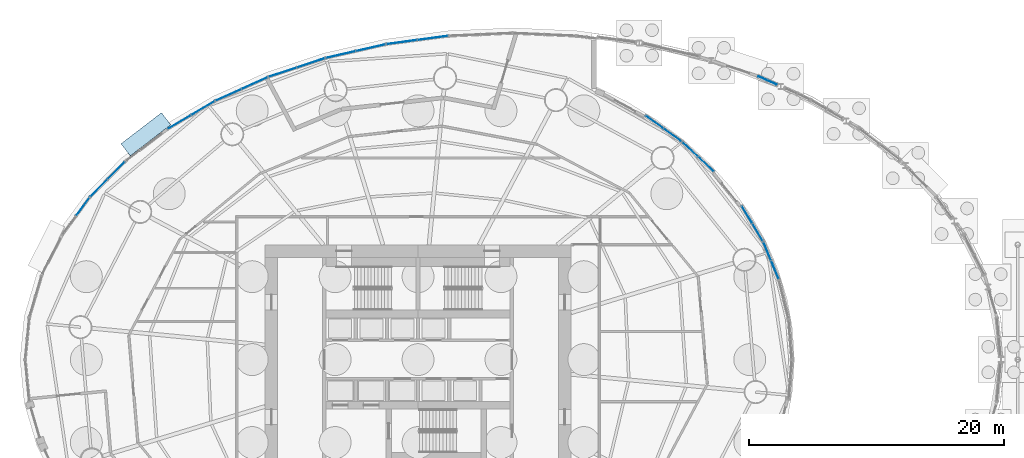
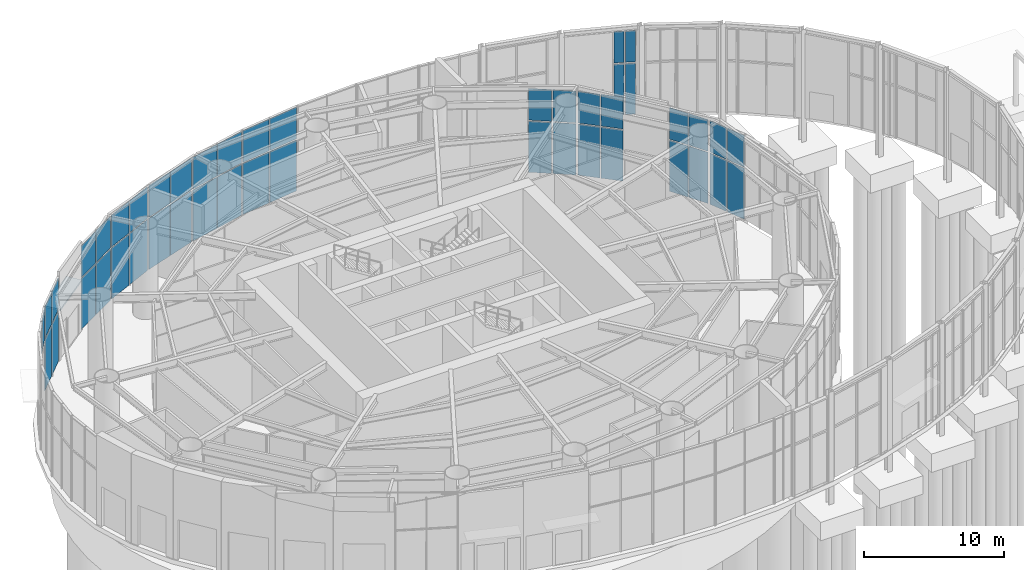
# One storey, part 18 of 27: 46 plates, 12 elements without a shape of their own.
"""IFC4 building model written with IfcOpenShell, lengths in metres."""

from ifc_helpers import new_model, si_unit, direction, frame, origin, origin_2d, place, context, subcontext, project, spatial, rectangle, extrude, material, layer, layer_set, type_object, element, aggregate, save


model = new_model("IFC4")

# Units and contexts
model_context = context("Model", 3, precision=1e-05, world=origin(), true_north=direction((0.0, 1.0)))
body_context = subcontext(model_context, "Body", "Model", "MODEL_VIEW")
ifc_project = project(units=[si_unit("LENGTHUNIT", "METRE"), si_unit("AREAUNIT", "SQUARE_METRE"), si_unit("VOLUMEUNIT", "CUBIC_METRE"), si_unit("PLANEANGLEUNIT", "RADIAN"), si_unit("MASSUNIT", "GRAM", prefix="KILO")], contexts=[model_context])

# Site, building, storey
site_placement = place(None, origin())
site = spatial("IfcSite", under=ifc_project, at=site_placement, CompositionType="ELEMENT")
building_placement = place(site_placement, origin())
building = spatial("IfcBuilding", under=site, at=building_placement, Name="Vermilion Reach Broadcast Tower", CompositionType="ELEMENT")
storey_placement = place(building_placement, origin())
storey = spatial("IfcBuildingStorey", under=building, at=storey_placement, Name="L00", CompositionType="ELEMENT", Elevation=0.0)

# Curtain wall, plates
ifc_material_1 = material(Name="Low-e laminated clear glass in aluminium frame", Category="aluminium")
curtain_wall_type_1 = type_object("IfcCurtainWallType", Name="Atrium outer wall curtain wall", PredefinedType="NOTDEFINED", material=ifc_material_1)
placement = place(storey_placement, origin())
curtain_wall_1 = element("IfcCurtainWall", 1, at=placement, inside=storey, type_object=curtain_wall_type_1, Name="Atrium wall L00 03-2", PredefinedType="NOTDEFINED")
ifc_material_2 = material(Name="Low-e laminated clear glass", Category="glass")
ifc_layer_1 = layer(ifc_material_2, 0.035888671875)
ifc_layer_set_1 = layer_set([ifc_layer_1], Name="Atrium outer wall glass panel")
plate_type_1 = type_object("IfcPlateType", Name="Atrium outer wall glass panel", PredefinedType="CURTAIN_PANEL", material=ifc_layer_set_1)
plate_1_placement = place(storey_placement, frame((21.76123046875, 21.710693359375, 0.0), z_axis=(0.0, 0.0, 1.0), x_axis=(-0.911902064418, 0.410407876277, 0.0)))
plate_1 = element("IfcPlate", 2, at=plate_1_placement, type_object=plate_type_1, Name="Atrium wall glass panel L00 03-2.1.1", PredefinedType="CURTAIN_PANEL", context=body_context, shape_type="SweptSolid", body=[
    extrude(rectangle(XDim=0.721923828125, YDim=0.035888671875, at=origin_2d()), origin(), (0.0, 0.0, 1.0), 4.43994140625),
])
plate_2_placement = place(storey_placement, frame((21.76123046875, 21.710693359375, 4.56005859375), z_axis=(0.0, 0.0, 1.0), x_axis=(-0.911902064418, 0.410407876277, 0.0)))
plate_2 = element("IfcPlate", 3, at=plate_2_placement, type_object=plate_type_1, Name="Atrium wall glass panel L00 03-2.1.2", PredefinedType="CURTAIN_PANEL", context=body_context, shape_type="SweptSolid", body=[
    extrude(rectangle(XDim=0.721923828125, YDim=0.035888671875, at=origin_2d()), origin(), (0.0, 0.0, 1.0), 2.72998046875),
])
plate_3_placement = place(storey_placement, frame((21.01171875, 22.048095703125, 0.0), z_axis=(0.0, 0.0, 1.0), x_axis=(-0.911902064418, 0.410407876277, 0.0)))
plate_3 = element("IfcPlate", 4, at=plate_3_placement, type_object=plate_type_1, Name="Atrium wall glass panel L00 03-2.2.1", PredefinedType="CURTAIN_PANEL", context=body_context, shape_type="SweptSolid", body=[
    extrude(rectangle(XDim=0.721923828125, YDim=0.035888671875, at=origin_2d()), origin(), (0.0, 0.0, 1.0), 4.43994140625),
])
plate_4_placement = place(storey_placement, frame((21.01171875, 22.048095703125, 4.56005859375), z_axis=(0.0, 0.0, 1.0), x_axis=(-0.911902064418, 0.410407876277, 0.0)))
plate_4 = element("IfcPlate", 5, at=plate_4_placement, type_object=plate_type_1, Name="Atrium wall glass panel L00 03-2.2.2", PredefinedType="CURTAIN_PANEL", context=body_context, shape_type="SweptSolid", body=[
    extrude(rectangle(XDim=0.721923828125, YDim=0.035888671875, at=origin_2d()), origin(), (0.0, 0.0, 1.0), 2.72998046875),
])
aggregate(curtain_wall_1, [plate_1, plate_2, plate_3, plate_4])

ifc_material_3 = material(Name="Low-e laminated clear glass in aluminium frame", Category="aluminium")
curtain_wall_type_2 = type_object("IfcCurtainWallType", Name="Drum wall curtain wall", PredefinedType="NOTDEFINED", material=ifc_material_3)
curtain_wall_2 = element("IfcCurtainWall", 6, at=placement, inside=storey, type_object=curtain_wall_type_2, Name="Drum wall L00 01", PredefinedType="NOTDEFINED")
ifc_material_4 = material(Name="Low-e laminated clear glass", Category="glass")
ifc_layer_2 = layer(ifc_material_4, 0.031982421875)
ifc_layer_set_2 = layer_set([ifc_layer_2], Name="Drum wall glass panel")
plate_type_2 = type_object("IfcPlateType", Name="Drum wall glass panel", PredefinedType="CURTAIN_PANEL", material=ifc_layer_set_2)
plate_5_placement = place(storey_placement, frame((12.535400390625, 18.61669921875, 0.0), z_axis=(0.0, 0.0, 1.0), x_axis=(0.812050569069, -0.583587074286, 0.0)))
plate_5 = element("IfcPlate", 7, at=plate_5_placement, type_object=plate_type_2, Name="Drum wall glass panel L00 01.1.1", PredefinedType="CURTAIN_PANEL", context=body_context, shape_type="SweptSolid", body=[
    extrude(rectangle(XDim=1.6552734375, YDim=0.031982421875, at=origin_2d()), origin(), (0.0, 0.0, 1.0), 4.449951171875),
])
plate_6_placement = place(storey_placement, frame((12.535400390625, 18.61669921875, 4.550048828125), z_axis=(0.0, 0.0, 1.0), x_axis=(0.812050569069, -0.583587074286, 0.0)))
plate_6 = element("IfcPlate", 8, at=plate_6_placement, type_object=plate_type_2, Name="Drum wall glass panel L00 01.1.2", PredefinedType="CURTAIN_PANEL", context=body_context, shape_type="SweptSolid", body=[
    extrude(rectangle(XDim=1.6552734375, YDim=0.031982421875, at=origin_2d()), origin(), (0.0, 0.0, 1.0), 2.75),
])
plate_7_placement = place(storey_placement, frame((13.9443359375, 17.60400390625, 0.0), z_axis=(0.0, 0.0, 1.0), x_axis=(0.812050569069, -0.583587074286, 0.0)))
plate_7 = element("IfcPlate", 9, at=plate_7_placement, type_object=plate_type_2, Name="Drum wall glass panel L00 01.2.1", PredefinedType="CURTAIN_PANEL", context=body_context, shape_type="SweptSolid", body=[
    extrude(rectangle(XDim=1.6552734375, YDim=0.031982421875, at=origin_2d()), origin(), (0.0, 0.0, 1.0), 4.449951171875),
])
plate_8_placement = place(storey_placement, frame((13.9443359375, 17.60400390625, 4.550048828125), z_axis=(0.0, 0.0, 1.0), x_axis=(0.812050569069, -0.583587074286, 0.0)))
plate_8 = element("IfcPlate", 10, at=plate_8_placement, type_object=plate_type_2, Name="Drum wall glass panel L00 01.2.2", PredefinedType="CURTAIN_PANEL", context=body_context, shape_type="SweptSolid", body=[
    extrude(rectangle(XDim=1.6552734375, YDim=0.031982421875, at=origin_2d()), origin(), (0.0, 0.0, 1.0), 2.75),
])
aggregate(curtain_wall_2, [plate_5, plate_6, plate_7, plate_8])

curtain_wall_3 = element("IfcCurtainWall", 11, at=placement, inside=storey, type_object=curtain_wall_type_2, Name="Drum wall L00 02", PredefinedType="NOTDEFINED")
plate_9_placement = place(storey_placement, frame((15.3291015625, 16.46923828125, 0.0), z_axis=(0.0, 0.0, 1.0), x_axis=(0.730654054194, -0.682747869342, 0.0)))
plate_9 = element("IfcPlate", 12, at=plate_9_placement, type_object=plate_type_2, Name="Drum wall glass panel L00 02.1.1", PredefinedType="CURTAIN_PANEL", context=body_context, shape_type="SweptSolid", body=[
    extrude(rectangle(XDim=1.612548828125, YDim=0.031982421875, at=origin_2d()), origin(), (0.0, 0.0, 1.0), 4.449951171875),
])
plate_10_placement = place(storey_placement, frame((15.3291015625, 16.46923828125, 4.550048828125), z_axis=(0.0, 0.0, 1.0), x_axis=(0.730654054194, -0.682747869342, 0.0)))
plate_10 = element("IfcPlate", 13, at=plate_10_placement, type_object=plate_type_2, Name="Drum wall glass panel L00 02.1.2", PredefinedType="CURTAIN_PANEL", context=body_context, shape_type="SweptSolid", body=[
    extrude(rectangle(XDim=1.612548828125, YDim=0.031982421875, at=origin_2d()), origin(), (0.0, 0.0, 1.0), 2.75),
])
plate_11_placement = place(storey_placement, frame((16.565673828125, 15.3134765625, 0.0), z_axis=(0.0, 0.0, 1.0), x_axis=(0.730654054194, -0.682747869342, 0.0)))
plate_11 = element("IfcPlate", 14, at=plate_11_placement, type_object=plate_type_2, Name="Drum wall glass panel L00 02.2.1", PredefinedType="CURTAIN_PANEL", context=body_context, shape_type="SweptSolid", body=[
    extrude(rectangle(XDim=1.612548828125, YDim=0.031982421875, at=origin_2d()), origin(), (0.0, 0.0, 1.0), 4.449951171875),
])
plate_12_placement = place(storey_placement, frame((16.565673828125, 15.3134765625, 4.550048828125), z_axis=(0.0, 0.0, 1.0), x_axis=(0.730654054194, -0.682747869342, 0.0)))
plate_12 = element("IfcPlate", 15, at=plate_12_placement, type_object=plate_type_2, Name="Drum wall glass panel L00 02.2.2", PredefinedType="CURTAIN_PANEL", context=body_context, shape_type="SweptSolid", body=[
    extrude(rectangle(XDim=1.612548828125, YDim=0.031982421875, at=origin_2d()), origin(), (0.0, 0.0, 1.0), 2.75),
])
aggregate(curtain_wall_3, [plate_9, plate_10, plate_11, plate_12])

curtain_wall_4 = element("IfcCurtainWall", 16, at=placement, inside=storey, type_object=curtain_wall_type_2, Name="Drum wall L00 01", PredefinedType="NOTDEFINED")
plate_13_placement = place(storey_placement, frame((19.7861328125, 11.363037109375, 0.0), z_axis=(0.0, 0.0, 1.0), x_axis=(0.515613297961, -0.856821409027, 0.0)))
plate_13 = element("IfcPlate", 17, at=plate_13_placement, type_object=plate_type_2, Name="Drum wall glass panel L00 01.1.1", PredefinedType="CURTAIN_PANEL", context=body_context, shape_type="SweptSolid", body=[
    extrude(rectangle(XDim=1.531982421875, YDim=0.031982421875, at=origin_2d()), origin(), (0.0, 0.0, 1.0), 4.449951171875),
])
plate_14_placement = place(storey_placement, frame((19.7861328125, 11.363037109375, 4.550048828125), z_axis=(0.0, 0.0, 1.0), x_axis=(0.515613297961, -0.856821409027, 0.0)))
plate_14 = element("IfcPlate", 18, at=plate_14_placement, type_object=plate_type_2, Name="Drum wall glass panel L00 01.1.2", PredefinedType="CURTAIN_PANEL", context=body_context, shape_type="SweptSolid", body=[
    extrude(rectangle(XDim=1.531982421875, YDim=0.031982421875, at=origin_2d()), origin(), (0.0, 0.0, 1.0), 2.75),
])
plate_15_placement = place(storey_placement, frame((20.617431640625, 9.981689453125, 0.0), z_axis=(0.0, 0.0, 1.0), x_axis=(0.515613297961, -0.856821409027, 0.0)))
plate_15 = element("IfcPlate", 19, at=plate_15_placement, type_object=plate_type_2, Name="Drum wall glass panel L00 01.2.1", PredefinedType="CURTAIN_PANEL", context=body_context, shape_type="SweptSolid", body=[
    extrude(rectangle(XDim=1.531982421875, YDim=0.031982421875, at=origin_2d()), origin(), (0.0, 0.0, 1.0), 4.449951171875),
])
plate_16_placement = place(storey_placement, frame((20.617431640625, 9.981689453125, 4.550048828125), z_axis=(0.0, 0.0, 1.0), x_axis=(0.515613297961, -0.856821409027, 0.0)))
plate_16 = element("IfcPlate", 20, at=plate_16_placement, type_object=plate_type_2, Name="Drum wall glass panel L00 01.2.2", PredefinedType="CURTAIN_PANEL", context=body_context, shape_type="SweptSolid", body=[
    extrude(rectangle(XDim=1.531982421875, YDim=0.031982421875, at=origin_2d()), origin(), (0.0, 0.0, 1.0), 2.75),
])
aggregate(curtain_wall_4, [plate_13, plate_14, plate_15, plate_16])

curtain_wall_5 = element("IfcCurtainWall", 21, at=placement, inside=storey, type_object=curtain_wall_type_2, Name="Drum wall L00 02", PredefinedType="NOTDEFINED")
plate_17_placement = place(storey_placement, frame((21.371337890625, 8.489990234375, 0.0), z_axis=(0.0, 0.0, 1.0), x_axis=(0.382693341189, -0.92387542808, 0.0)))
plate_17 = element("IfcPlate", 22, at=plate_17_placement, type_object=plate_type_2, Name="Drum wall glass panel L00 02.1.1", PredefinedType="CURTAIN_PANEL", context=body_context, shape_type="SweptSolid", body=[
    extrude(rectangle(XDim=1.5, YDim=0.031982421875, at=origin_2d()), origin(), (0.0, 0.0, 1.0), 4.449951171875),
])
plate_18_placement = place(storey_placement, frame((21.371337890625, 8.489990234375, 4.550048828125), z_axis=(0.0, 0.0, 1.0), x_axis=(0.382693341189, -0.92387542808, 0.0)))
plate_18 = element("IfcPlate", 23, at=plate_18_placement, type_object=plate_type_2, Name="Drum wall glass panel L00 02.1.2", PredefinedType="CURTAIN_PANEL", context=body_context, shape_type="SweptSolid", body=[
    extrude(rectangle(XDim=1.5, YDim=0.031982421875, at=origin_2d()), origin(), (0.0, 0.0, 1.0), 2.75),
])
plate_19_placement = place(storey_placement, frame((21.97607421875, 7.0302734375, 0.0), z_axis=(0.0, 0.0, 1.0), x_axis=(0.382693341189, -0.92387542808, 0.0)))
plate_19 = element("IfcPlate", 24, at=plate_19_placement, type_object=plate_type_2, Name="Drum wall glass panel L00 02.2.1", PredefinedType="CURTAIN_PANEL", context=body_context, shape_type="SweptSolid", body=[
    extrude(rectangle(XDim=1.5, YDim=0.031982421875, at=origin_2d()), origin(), (0.0, 0.0, 1.0), 4.449951171875),
])
plate_20_placement = place(storey_placement, frame((21.97607421875, 7.0302734375, 4.550048828125), z_axis=(0.0, 0.0, 1.0), x_axis=(0.382693341189, -0.92387542808, 0.0)))
plate_20 = element("IfcPlate", 25, at=plate_20_placement, type_object=plate_type_2, Name="Drum wall glass panel L00 02.2.2", PredefinedType="CURTAIN_PANEL", context=body_context, shape_type="SweptSolid", body=[
    extrude(rectangle(XDim=1.5, YDim=0.031982421875, at=origin_2d()), origin(), (0.0, 0.0, 1.0), 2.75),
])
aggregate(curtain_wall_5, [plate_17, plate_18, plate_19, plate_20])

# Plate
ifc_material_5 = material(Name="Laminated glass canopy", Category="glass")
ifc_layer_3 = layer(ifc_material_5, 0.14990234375)
ifc_layer_set_3 = layer_set([ifc_layer_3], Name="Entrance canopy 150")
plate_type_3 = type_object("IfcPlateType", Name="Entrance canopy 150", PredefinedType="SHEET", material=ifc_layer_set_3)
plate_21_placement = place(storey_placement, frame((-27.33251953125, 17.659423828125, 3.925048828125), z_axis=(0.0, 0.0, 1.0), x_axis=(0.793082736826, 0.609113924113, 0.0)))
element("IfcPlate", 26, at=plate_21_placement, inside=storey, type_object=plate_type_3, Name="Entrance canopy str08", PredefinedType="SHEET", context=body_context, shape_type="SweptSolid", body=[
    extrude(rectangle(XDim=4.0, YDim=1.199951171875, at=origin_2d()), origin(), (0.0, 0.0, 1.0), 0.14990234375),
])

# Curtain wall, plates
ifc_material_6 = material(Name="Low-e laminated clear glass in aluminium frame", Category="aluminium")
curtain_wall_type_3 = type_object("IfcCurtainWallType", Name="Street frontage curtain wall", PredefinedType="NOTDEFINED", material=ifc_material_6)
curtain_wall_6 = element("IfcCurtainWall", 27, at=placement, inside=storey, type_object=curtain_wall_type_3, Name="Street frontage L00 04", PredefinedType="NOTDEFINED")
ifc_material_7 = material(Name="Low-e laminated clear glass", Category="glass")
ifc_layer_4 = layer(ifc_material_7, 0.028076171875)
ifc_layer_set_4 = layer_set([ifc_layer_4], Name="Street frontage glass panel")
plate_type_4 = type_object("IfcPlateType", Name="Street frontage glass panel", PredefinedType="CURTAIN_PANEL", material=ifc_layer_set_4)
plate_22_placement = place(storey_placement, frame((-4.849365234375, 25.212158203125, 0.0), z_axis=(0.0, 0.0, 1.0), x_axis=(-0.991143706417, -0.13279364906, 0.0)))
plate_22 = element("IfcPlate", 28, at=plate_22_placement, type_object=plate_type_4, Name="Street frontage glass panel L00 04.1.1", PredefinedType="CURTAIN_PANEL", context=body_context, shape_type="SweptSolid", body=[
    extrude(rectangle(XDim=2.375244140625, YDim=0.028076171875, at=origin_2d()), origin(), (0.0, 0.0, 1.0), 4.455078125),
])
plate_23_placement = place(storey_placement, frame((-4.849365234375, 25.212158203125, 4.544921875), z_axis=(0.0, 0.0, 1.0), x_axis=(-0.991143706417, -0.13279364906, 0.0)))
plate_23 = element("IfcPlate", 29, at=plate_23_placement, type_object=plate_type_4, Name="Street frontage glass panel L00 04.1.2", PredefinedType="CURTAIN_PANEL", context=body_context, shape_type="SweptSolid", body=[
    extrude(rectangle(XDim=2.375244140625, YDim=0.028076171875, at=origin_2d()), origin(), (0.0, 0.0, 1.0), 2.764892578125),
])
plate_24_placement = place(storey_placement, frame((-7.27294921875, 24.887451171875, 0.0), z_axis=(0.0, 0.0, 1.0), x_axis=(-0.991143706417, -0.13279364906, 0.0)))
plate_24 = element("IfcPlate", 30, at=plate_24_placement, type_object=plate_type_4, Name="Street frontage glass panel L00 04.2.1", PredefinedType="CURTAIN_PANEL", context=body_context, shape_type="SweptSolid", body=[
    extrude(rectangle(XDim=2.375244140625, YDim=0.028076171875, at=origin_2d()), origin(), (0.0, 0.0, 1.0), 4.455078125),
])
plate_25_placement = place(storey_placement, frame((-7.27294921875, 24.887451171875, 4.544921875), z_axis=(0.0, 0.0, 1.0), x_axis=(-0.991143706417, -0.13279364906, 0.0)))
plate_25 = element("IfcPlate", 31, at=plate_25_placement, type_object=plate_type_4, Name="Street frontage glass panel L00 04.2.2", PredefinedType="CURTAIN_PANEL", context=body_context, shape_type="SweptSolid", body=[
    extrude(rectangle(XDim=2.375244140625, YDim=0.028076171875, at=origin_2d()), origin(), (0.0, 0.0, 1.0), 2.764892578125),
])
aggregate(curtain_wall_6, [plate_22, plate_23, plate_24, plate_25])

curtain_wall_7 = element("IfcCurtainWall", 32, at=placement, inside=storey, type_object=curtain_wall_type_3, Name="Street frontage L00 05", PredefinedType="NOTDEFINED")
plate_26_placement = place(storey_placement, frame((-9.72265625, 24.4453125, 0.0), z_axis=(0.0, 0.0, 1.0), x_axis=(-0.974843253478, -0.222891523278, 0.0)))
plate_26 = element("IfcPlate", 33, at=plate_26_placement, type_object=plate_type_4, Name="Street frontage glass panel L00 05.1.1", PredefinedType="CURTAIN_PANEL", context=body_context, shape_type="SweptSolid", body=[
    extrude(rectangle(XDim=2.32861328125, YDim=0.028076171875, at=origin_2d()), origin(), (0.0, 0.0, 1.0), 4.455078125),
])
plate_27_placement = place(storey_placement, frame((-9.72265625, 24.4453125, 4.544921875), z_axis=(0.0, 0.0, 1.0), x_axis=(-0.974843253478, -0.222891523278, 0.0)))
plate_27 = element("IfcPlate", 34, at=plate_27_placement, type_object=plate_type_4, Name="Street frontage glass panel L00 05.1.2", PredefinedType="CURTAIN_PANEL", context=body_context, shape_type="SweptSolid", body=[
    extrude(rectangle(XDim=2.32861328125, YDim=0.028076171875, at=origin_2d()), origin(), (0.0, 0.0, 1.0), 2.764892578125),
])
plate_28_placement = place(storey_placement, frame((-12.060791015625, 23.91064453125, 0.0), z_axis=(0.0, 0.0, 1.0), x_axis=(-0.974843253478, -0.222891523278, 0.0)))
plate_28 = element("IfcPlate", 35, at=plate_28_placement, type_object=plate_type_4, Name="Street frontage glass panel L00 05.2.1", PredefinedType="CURTAIN_PANEL", context=body_context, shape_type="SweptSolid", body=[
    extrude(rectangle(XDim=2.32861328125, YDim=0.028076171875, at=origin_2d()), origin(), (0.0, 0.0, 1.0), 4.455078125),
])
plate_29_placement = place(storey_placement, frame((-12.060791015625, 23.91064453125, 4.544921875), z_axis=(0.0, 0.0, 1.0), x_axis=(-0.974843253478, -0.222891523278, 0.0)))
plate_29 = element("IfcPlate", 36, at=plate_29_placement, type_object=plate_type_4, Name="Street frontage glass panel L00 05.2.2", PredefinedType="CURTAIN_PANEL", context=body_context, shape_type="SweptSolid", body=[
    extrude(rectangle(XDim=2.32861328125, YDim=0.028076171875, at=origin_2d()), origin(), (0.0, 0.0, 1.0), 2.764892578125),
])
aggregate(curtain_wall_7, [plate_26, plate_27, plate_28, plate_29])

curtain_wall_8 = element("IfcCurtainWall", 37, at=placement, inside=storey, type_object=curtain_wall_type_3, Name="Street frontage L00 06", PredefinedType="NOTDEFINED")
plate_30_placement = place(storey_placement, frame((-14.4033203125, 23.257080078125, 0.0), z_axis=(0.0, 0.0, 1.0), x_axis=(-0.949015935462, -0.315228098746, 0.0)))
plate_30 = element("IfcPlate", 38, at=plate_30_placement, type_object=plate_type_4, Name="Street frontage glass panel L00 06.1.1", PredefinedType="CURTAIN_PANEL", context=body_context, shape_type="SweptSolid", body=[
    extrude(rectangle(XDim=2.260986328125, YDim=0.028076171875, at=origin_2d()), origin(), (0.0, 0.0, 1.0), 4.455078125),
])
plate_31_placement = place(storey_placement, frame((-14.4033203125, 23.257080078125, 4.544921875), z_axis=(0.0, 0.0, 1.0), x_axis=(-0.949015935462, -0.315228098746, 0.0)))
plate_31 = element("IfcPlate", 39, at=plate_31_placement, type_object=plate_type_4, Name="Street frontage glass panel L00 06.1.2", PredefinedType="CURTAIN_PANEL", context=body_context, shape_type="SweptSolid", body=[
    extrude(rectangle(XDim=2.260986328125, YDim=0.028076171875, at=origin_2d()), origin(), (0.0, 0.0, 1.0), 2.764892578125),
])
plate_32_placement = place(storey_placement, frame((-16.61572265625, 22.522216796875, 0.0), z_axis=(0.0, 0.0, 1.0), x_axis=(-0.949015935462, -0.315228098746, 0.0)))
plate_32 = element("IfcPlate", 40, at=plate_32_placement, type_object=plate_type_4, Name="Street frontage glass panel L00 06.2.1", PredefinedType="CURTAIN_PANEL", context=body_context, shape_type="SweptSolid", body=[
    extrude(rectangle(XDim=2.260986328125, YDim=0.028076171875, at=origin_2d()), origin(), (0.0, 0.0, 1.0), 4.455078125),
])
plate_33_placement = place(storey_placement, frame((-16.61572265625, 22.522216796875, 4.544921875), z_axis=(0.0, 0.0, 1.0), x_axis=(-0.949015935462, -0.315228098746, 0.0)))
plate_33 = element("IfcPlate", 41, at=plate_33_placement, type_object=plate_type_4, Name="Street frontage glass panel L00 06.2.2", PredefinedType="CURTAIN_PANEL", context=body_context, shape_type="SweptSolid", body=[
    extrude(rectangle(XDim=2.260986328125, YDim=0.028076171875, at=origin_2d()), origin(), (0.0, 0.0, 1.0), 2.764892578125),
])
aggregate(curtain_wall_8, [plate_30, plate_31, plate_32, plate_33])

curtain_wall_9 = element("IfcCurtainWall", 42, at=placement, inside=storey, type_object=curtain_wall_type_3, Name="Street frontage L00 07", PredefinedType="NOTDEFINED")
plate_34_placement = place(storey_placement, frame((-18.810791015625, 21.668701171875, 0.0), z_axis=(0.0, 0.0, 1.0), x_axis=(-0.911902064418, -0.410407876277, 0.0)))
plate_34 = element("IfcPlate", 43, at=plate_34_placement, type_object=plate_type_4, Name="Street frontage glass panel L00 07.1.1", PredefinedType="CURTAIN_PANEL", context=body_context, shape_type="SweptSolid", body=[
    extrude(rectangle(XDim=2.17578125, YDim=0.028076171875, at=origin_2d()), origin(), (0.0, 0.0, 1.0), 4.455078125),
])
plate_35_placement = place(storey_placement, frame((-18.810791015625, 21.668701171875, 4.544921875), z_axis=(0.0, 0.0, 1.0), x_axis=(-0.911902064418, -0.410407876277, 0.0)))
plate_35 = element("IfcPlate", 44, at=plate_35_placement, type_object=plate_type_4, Name="Street frontage glass panel L00 07.1.2", PredefinedType="CURTAIN_PANEL", context=body_context, shape_type="SweptSolid", body=[
    extrude(rectangle(XDim=2.17578125, YDim=0.028076171875, at=origin_2d()), origin(), (0.0, 0.0, 1.0), 2.764892578125),
])
plate_36_placement = place(storey_placement, frame((-20.858642578125, 20.7470703125, 0.0), z_axis=(0.0, 0.0, 1.0), x_axis=(-0.911902064418, -0.410407876277, 0.0)))
plate_36 = element("IfcPlate", 45, at=plate_36_placement, type_object=plate_type_4, Name="Street frontage glass panel L00 07.2.1", PredefinedType="CURTAIN_PANEL", context=body_context, shape_type="SweptSolid", body=[
    extrude(rectangle(XDim=2.17578125, YDim=0.028076171875, at=origin_2d()), origin(), (0.0, 0.0, 1.0), 4.455078125),
])
plate_37_placement = place(storey_placement, frame((-20.858642578125, 20.7470703125, 4.544921875), z_axis=(0.0, 0.0, 1.0), x_axis=(-0.911902064418, -0.410407876277, 0.0)))
plate_37 = element("IfcPlate", 46, at=plate_37_placement, type_object=plate_type_4, Name="Street frontage glass panel L00 07.2.2", PredefinedType="CURTAIN_PANEL", context=body_context, shape_type="SweptSolid", body=[
    extrude(rectangle(XDim=2.17578125, YDim=0.028076171875, at=origin_2d()), origin(), (0.0, 0.0, 1.0), 2.764892578125),
])
aggregate(curtain_wall_9, [plate_34, plate_35, plate_36, plate_37])

curtain_wall_10 = element("IfcCurtainWall", 47, at=placement, inside=storey, type_object=curtain_wall_type_3, Name="Street frontage L00 08", PredefinedType="NOTDEFINED")
plate_38_placement = place(storey_placement, frame((-22.86865234375, 19.708251953125, 0.0), z_axis=(0.0, 0.0, 1.0), x_axis=(-0.861009057017, -0.508589622127, 0.0)))
plate_38 = element("IfcPlate", 48, at=plate_38_placement, type_object=plate_type_4, Name="Street frontage glass panel L00 08.1.1", PredefinedType="CURTAIN_PANEL", context=body_context, shape_type="SweptSolid", body=[
    extrude(rectangle(XDim=2.076416015625, YDim=0.028076171875, at=origin_2d()), origin(), (0.0, 0.0, 1.0), 4.455078125),
])
plate_39_placement = place(storey_placement, frame((-22.86865234375, 19.708251953125, 4.544921875), z_axis=(0.0, 0.0, 1.0), x_axis=(-0.861009057017, -0.508589622127, 0.0)))
plate_39 = element("IfcPlate", 49, at=plate_39_placement, type_object=plate_type_4, Name="Street frontage glass panel L00 08.1.2", PredefinedType="CURTAIN_PANEL", context=body_context, shape_type="SweptSolid", body=[
    extrude(rectangle(XDim=2.076416015625, YDim=0.028076171875, at=origin_2d()), origin(), (0.0, 0.0, 1.0), 2.764892578125),
])
plate_40_placement = place(storey_placement, frame((-24.716796875, 18.61669921875, 0.0), z_axis=(0.0, 0.0, 1.0), x_axis=(-0.861009057017, -0.508589622127, 0.0)))
plate_40 = element("IfcPlate", 50, at=plate_40_placement, type_object=plate_type_4, Name="Street frontage glass panel L00 08.2.1", PredefinedType="CURTAIN_PANEL", context=body_context, shape_type="SweptSolid", body=[
    extrude(rectangle(XDim=2.076416015625, YDim=0.028076171875, at=origin_2d()), origin(), (0.0, 0.0, 1.0), 4.455078125),
])
plate_41_placement = place(storey_placement, frame((-24.716796875, 18.61669921875, 4.544921875), z_axis=(0.0, 0.0, 1.0), x_axis=(-0.861009057017, -0.508589622127, 0.0)))
plate_41 = element("IfcPlate", 51, at=plate_41_placement, type_object=plate_type_4, Name="Street frontage glass panel L00 08.2.2", PredefinedType="CURTAIN_PANEL", context=body_context, shape_type="SweptSolid", body=[
    extrude(rectangle(XDim=2.076416015625, YDim=0.028076171875, at=origin_2d()), origin(), (0.0, 0.0, 1.0), 2.764892578125),
])
aggregate(curtain_wall_10, [plate_38, plate_39, plate_40, plate_41])

curtain_wall_11 = element("IfcCurtainWall", 52, at=placement, inside=storey, type_object=curtain_wall_type_3, Name="Street frontage L00 01", PredefinedType="NOTDEFINED")
plate_42_placement = place(storey_placement, frame((-29.663330078125, 14.81787109375, 0.0), z_axis=(0.0, 0.0, 1.0), x_axis=(-0.704276337997, -0.709925939614, 0.0)))
plate_42 = element("IfcPlate", 53, at=plate_42_placement, type_object=plate_type_4, Name="Street frontage glass panel L00 01.1.1", PredefinedType="CURTAIN_PANEL", context=body_context, shape_type="SweptSolid", body=[
    extrude(rectangle(XDim=1.858154296875, YDim=0.028076171875, at=origin_2d()), origin(), (0.0, 0.0, 1.0), 4.455078125),
])
plate_43_placement = place(storey_placement, frame((-29.663330078125, 14.81787109375, 4.544921875), z_axis=(0.0, 0.0, 1.0), x_axis=(-0.704276337997, -0.709925939614, 0.0)))
plate_43 = element("IfcPlate", 54, at=plate_43_placement, type_object=plate_type_4, Name="Street frontage glass panel L00 01.1.2", PredefinedType="CURTAIN_PANEL", context=body_context, shape_type="SweptSolid", body=[
    extrude(rectangle(XDim=1.858154296875, YDim=0.028076171875, at=origin_2d()), origin(), (0.0, 0.0, 1.0), 2.764892578125),
])
plate_44_placement = place(storey_placement, frame((-31.021240234375, 13.448974609375, 0.0), z_axis=(0.0, 0.0, 1.0), x_axis=(-0.704276337997, -0.709925939614, 0.0)))
plate_44 = element("IfcPlate", 55, at=plate_44_placement, type_object=plate_type_4, Name="Street frontage glass panel L00 01.2.1", PredefinedType="CURTAIN_PANEL", context=body_context, shape_type="SweptSolid", body=[
    extrude(rectangle(XDim=1.858154296875, YDim=0.028076171875, at=origin_2d()), origin(), (0.0, 0.0, 1.0), 4.455078125),
])
plate_45_placement = place(storey_placement, frame((-31.021240234375, 13.448974609375, 4.544921875), z_axis=(0.0, 0.0, 1.0), x_axis=(-0.704276337997, -0.709925939614, 0.0)))
plate_45 = element("IfcPlate", 56, at=plate_45_placement, type_object=plate_type_4, Name="Street frontage glass panel L00 01.2.2", PredefinedType="CURTAIN_PANEL", context=body_context, shape_type="SweptSolid", body=[
    extrude(rectangle(XDim=1.858154296875, YDim=0.028076171875, at=origin_2d()), origin(), (0.0, 0.0, 1.0), 2.764892578125),
])
aggregate(curtain_wall_11, [plate_42, plate_43, plate_44, plate_45])

# Curtain wall, plate
curtain_wall_12 = element("IfcCurtainWall", 57, at=placement, inside=storey, type_object=curtain_wall_type_3, Name="Street frontage L00 02", PredefinedType="NOTDEFINED")
plate_46_placement = place(storey_placement, frame((-32.2841796875, 11.9755859375, 4.544921875), z_axis=(0.0, 0.0, 1.0), x_axis=(-0.590759824697, -0.806847463604, 0.0)))
plate_46 = element("IfcPlate", 58, at=plate_46_placement, type_object=plate_type_4, Name="Street frontage glass panel L00 02.1.2", PredefinedType="CURTAIN_PANEL", context=body_context, shape_type="SweptSolid", body=[
    extrude(rectangle(XDim=1.753662109375, YDim=0.028076171875, at=origin_2d()), origin(), (0.0, 0.0, 1.0), 2.764892578125),
])
aggregate(curtain_wall_12, [plate_46])

save(model, "model.ifc")
